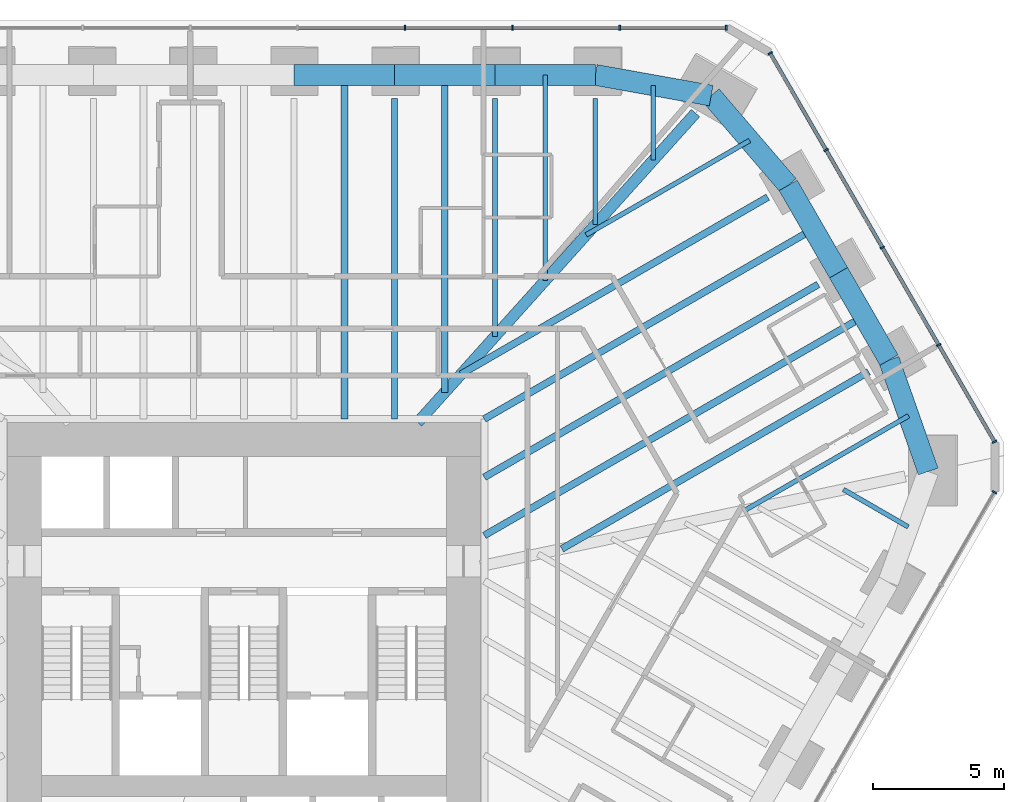
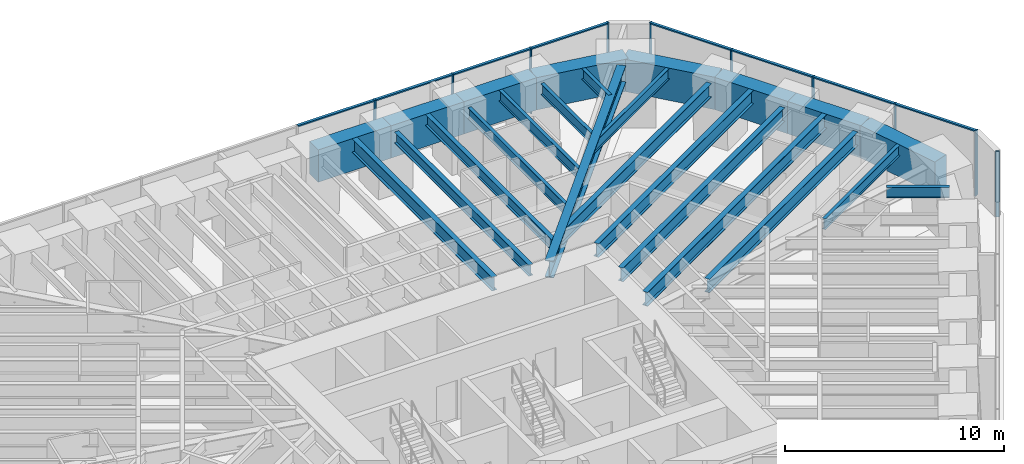
# One storey, part 9 of 18: 24 beams, 18 members, 3 elements without a shape of their own.
"""IFC4 building model written with IfcOpenShell, lengths in metres."""

from ifc_helpers import new_model, si_unit, direction, frame, origin, origin_2d, place, context, subcontext, project, spatial, rectangle, i_section, extrude, material, material_profile, profile_set, type_object, element, aggregate, save


model = new_model("IFC4")

# Units and contexts
model_context = context("Model", 3, precision=1e-05, world=origin(), true_north=direction((0.0, 1.0)))
body_context = subcontext(model_context, "Body", "Model", "MODEL_VIEW")
ifc_project = project(units=[si_unit("LENGTHUNIT", "METRE"), si_unit("AREAUNIT", "SQUARE_METRE"), si_unit("VOLUMEUNIT", "CUBIC_METRE"), si_unit("PLANEANGLEUNIT", "RADIAN"), si_unit("MASSUNIT", "GRAM", prefix="KILO")], contexts=[model_context])

# Site, building, storey
site_placement = place(None, origin())
site = spatial("IfcSite", under=ifc_project, at=site_placement, CompositionType="ELEMENT")
building_placement = place(site_placement, origin())
building = spatial("IfcBuilding", under=site, at=building_placement, Name="Sandreach Pilgrim Tower", CompositionType="ELEMENT")
storey_placement = place(building_placement, frame((0.0, 0.0, 157.60009765625)))
storey = spatial("IfcBuildingStorey", under=building, at=storey_placement, Name="L39", CompositionType="ELEMENT", Elevation=157.60009765625)

# Curtain wall, members
ifc_material_1 = material(Name="Aluminium framed curtain wall", Category="aluminium")
curtain_wall_type = type_object("IfcCurtainWallType", Name="Hotel tower curtain wall", PredefinedType="NOTDEFINED", material=ifc_material_1)
curtain_wall_1_placement = place(storey_placement, origin())
curtain_wall_1 = element("IfcCurtainWall", 1, at=curtain_wall_1_placement, inside=storey, type_object=curtain_wall_type, Name="CW-2 L39 N", PredefinedType="NOTDEFINED")
ifc_material_2 = material(Name="Aluminium extrusion", Category="aluminium")
ifc_material_profile_1 = material_profile(ifc_material_2, rectangle(XDim=0.06494140625, YDim=0.179931640625, at=origin_2d()), Name="CW-2M 65X180")
ifc_profile_set_1 = profile_set([ifc_material_profile_1], Name="Aluminium extrusion")
member_type_1 = type_object("IfcMemberType", Name="CW-2 mullion", PredefinedType="MULLION", material=ifc_profile_set_1)
member_1_placement = place(storey_placement, frame((6.160400390625, 22.493896484375, 0.0), z_axis=(0.0, 0.0, 1.0), x_axis=(1.0, 0.0, 0.0)))
member_1 = element("IfcMember", 2, at=member_1_placement, type_object=member_type_1, Name="CW-2 mullion 7", PredefinedType="MULLION", context=body_context, shape_type="SweptSolid", body=[
    extrude(rectangle(XDim=0.06494140625, YDim=0.179931640625, at=origin_2d()), origin(), (0.0, 0.0, 1.0), 3.639892578125),
])
member_2_placement = place(storey_placement, frame((10.267333984375, 22.493896484375, 0.0), z_axis=(0.0, 0.0, 1.0), x_axis=(1.0, 0.0, 0.0)))
member_2 = element("IfcMember", 3, at=member_2_placement, type_object=member_type_1, Name="CW-2 mullion 8", PredefinedType="MULLION", context=body_context, shape_type="SweptSolid", body=[
    extrude(rectangle(XDim=0.06494140625, YDim=0.179931640625, at=origin_2d()), origin(), (0.0, 0.0, 1.0), 3.639892578125),
])
member_3_placement = place(storey_placement, frame((14.37451171875, 22.493896484375, 0.0), z_axis=(0.0, 0.0, 1.0), x_axis=(1.0, 0.0, 0.0)))
member_3 = element("IfcMember", 4, at=member_3_placement, type_object=member_type_1, Name="CW-2 mullion 9", PredefinedType="MULLION", context=body_context, shape_type="SweptSolid", body=[
    extrude(rectangle(XDim=0.06494140625, YDim=0.179931640625, at=origin_2d()), origin(), (0.0, 0.0, 1.0), 3.639892578125),
])
member_4_placement = place(storey_placement, frame((18.448974609375, 22.493896484375, 0.0), z_axis=(0.0, 0.0, 1.0), x_axis=(1.0, 0.0, 0.0)))
member_4 = element("IfcMember", 5, at=member_4_placement, type_object=member_type_1, Name="CW-2 mullion 10", PredefinedType="MULLION", context=body_context, shape_type="SweptSolid", body=[
    extrude(rectangle(XDim=0.06494140625, YDim=0.179931640625, at=origin_2d()), origin(), (0.0, 0.0, 1.0), 3.639892578125),
])

curtain_wall_2_placement = place(storey_placement, origin())
curtain_wall_2 = element("IfcCurtainWall", 6, at=curtain_wall_2_placement, inside=storey, type_object=curtain_wall_type, Name="CW-2 L39 NE", PredefinedType="NOTDEFINED")
member_5_placement = place(storey_placement, frame((20.125732421875, 21.525634765625, 0.0), z_axis=(0.0, 0.0, 1.0), x_axis=(0.5, -0.866025403784, 0.0)))
member_5 = element("IfcMember", 7, at=member_5_placement, type_object=member_type_1, Name="CW-2 mullion 1", PredefinedType="MULLION", context=body_context, shape_type="SweptSolid", body=[
    extrude(rectangle(XDim=0.06494140625, YDim=0.179931640625, at=origin_2d()), origin(), (0.0, 0.0, 1.0), 3.639892578125),
])
member_6_placement = place(storey_placement, frame((22.262451171875, 17.824951171875, 0.0), z_axis=(0.0, 0.0, 1.0), x_axis=(0.5, -0.866025403784, 0.0)))
member_6 = element("IfcMember", 8, at=member_6_placement, type_object=member_type_1, Name="CW-2 mullion 2", PredefinedType="MULLION", context=body_context, shape_type="SweptSolid", body=[
    extrude(rectangle(XDim=0.06494140625, YDim=0.179931640625, at=origin_2d()), origin(), (0.0, 0.0, 1.0), 3.639892578125),
])
member_7_placement = place(storey_placement, frame((24.415283203125, 14.09619140625, 0.0), z_axis=(0.0, 0.0, 1.0), x_axis=(0.5, -0.866025403784, 0.0)))
member_7 = element("IfcMember", 9, at=member_7_placement, type_object=member_type_1, Name="CW-2 mullion 3", PredefinedType="MULLION", context=body_context, shape_type="SweptSolid", body=[
    extrude(rectangle(XDim=0.06494140625, YDim=0.179931640625, at=origin_2d()), origin(), (0.0, 0.0, 1.0), 3.639892578125),
])
member_8_placement = place(storey_placement, frame((26.568115234375, 10.3671875, 0.0), z_axis=(0.0, 0.0, 1.0), x_axis=(0.5, -0.866025403784, 0.0)))
member_8 = element("IfcMember", 10, at=member_8_placement, type_object=member_type_1, Name="CW-2 mullion 4", PredefinedType="MULLION", context=body_context, shape_type="SweptSolid", body=[
    extrude(rectangle(XDim=0.06494140625, YDim=0.179931640625, at=origin_2d()), origin(), (0.0, 0.0, 1.0), 3.639892578125),
])
member_9_placement = place(storey_placement, frame((28.70458984375, 6.66650390625, 0.0), z_axis=(0.0, 0.0, 1.0), x_axis=(0.5, -0.866025403784, 0.0)))
member_9 = element("IfcMember", 11, at=member_9_placement, type_object=member_type_1, Name="CW-2 mullion 5", PredefinedType="MULLION", context=body_context, shape_type="SweptSolid", body=[
    extrude(rectangle(XDim=0.06494140625, YDim=0.179931640625, at=origin_2d()), origin(), (0.0, 0.0, 1.0), 3.639892578125),
])

# Curtain wall, member
curtain_wall_3_placement = place(storey_placement, origin())
curtain_wall_3 = element("IfcCurtainWall", 12, at=curtain_wall_3_placement, inside=storey, type_object=curtain_wall_type, Name="CW-2 L39 SE", PredefinedType="NOTDEFINED")
member_10_placement = place(storey_placement, frame((28.70458984375, 4.730224609375, 0.0), z_axis=(0.0, 0.0, 1.0), x_axis=(-0.5, -0.866025403784, 0.0)))
member_10 = element("IfcMember", 13, at=member_10_placement, type_object=member_type_1, Name="CW-2 mullion 1", PredefinedType="MULLION", context=body_context, shape_type="SweptSolid", body=[
    extrude(rectangle(XDim=0.06494140625, YDim=0.179931640625, at=origin_2d()), origin(), (0.0, 0.0, 1.0), 3.639892578125),
])
aggregate(curtain_wall_3, [member_10])

# Member
ifc_material_3 = material(Name="Aluminium extrusion", Category="aluminium")
ifc_material_profile_2 = material_profile(ifc_material_3, rectangle(XDim=0.139892578125, YDim=0.070068359375, at=origin_2d()), Name="CW-2T 140X70")
ifc_profile_set_2 = profile_set([ifc_material_profile_2], Name="Aluminium extrusion")
member_type_2 = type_object("IfcMemberType", Name="CW-2 transom", PredefinedType="USERDEFINED", material=ifc_profile_set_2)
member_11_placement = place(storey_placement, frame((2.0859375, 22.493896484375, 3.60498046875), z_axis=(1.0, 0.0, 0.0), x_axis=(0.0, 1.0, 0.0)))
member_11 = element("IfcMember", 14, at=member_11_placement, type_object=member_type_2, Name="CW-2 head transom 6", ObjectType="TRANSOM", PredefinedType="USERDEFINED", context=body_context, shape_type="SweptSolid", body=[
    extrude(rectangle(XDim=0.139892578125, YDim=0.070068359375, at=origin_2d()), origin(), (0.0, 0.0, 1.0), 4.0419921875),
])

member_12_placement = place(storey_placement, frame((6.19287109375, 22.493896484375, 3.60498046875), z_axis=(1.0, 0.0, 0.0), x_axis=(0.0, 1.0, 0.0)))
member_12 = element("IfcMember", 15, at=member_12_placement, type_object=member_type_2, Name="CW-2 head transom 7", ObjectType="TRANSOM", PredefinedType="USERDEFINED", context=body_context, shape_type="SweptSolid", body=[
    extrude(rectangle(XDim=0.139892578125, YDim=0.070068359375, at=origin_2d()), origin(), (0.0, 0.0, 1.0), 4.0419921875),
])

member_13_placement = place(storey_placement, frame((10.300048828125, 22.493896484375, 3.60498046875), z_axis=(1.0, 0.0, 0.0), x_axis=(0.0, 1.0, 0.0)))
member_13 = element("IfcMember", 16, at=member_13_placement, type_object=member_type_2, Name="CW-2 head transom 8", ObjectType="TRANSOM", PredefinedType="USERDEFINED", context=body_context, shape_type="SweptSolid", body=[
    extrude(rectangle(XDim=0.139892578125, YDim=0.070068359375, at=origin_2d()), origin(), (0.0, 0.0, 1.0), 4.041748046875),
])

member_14_placement = place(storey_placement, frame((14.406982421875, 22.493896484375, 3.60498046875), z_axis=(1.0, 0.0, 0.0), x_axis=(0.0, 1.0, 0.0)))
member_14 = element("IfcMember", 17, at=member_14_placement, type_object=member_type_2, Name="CW-2 head transom 9", ObjectType="TRANSOM", PredefinedType="USERDEFINED", context=body_context, shape_type="SweptSolid", body=[
    extrude(rectangle(XDim=0.139892578125, YDim=0.070068359375, at=origin_2d()), origin(), (0.0, 0.0, 1.0), 4.00927734375),
])

aggregate(curtain_wall_1, [member_1, member_2, member_3, member_4, member_11, member_12, member_13, member_14])

member_15_placement = place(storey_placement, frame((20.14208984375, 21.49755859375, 3.60498046875), z_axis=(0.49997020258, -0.86604260665, 0.0), x_axis=(0.86604260665, 0.49997020258, 0.0)))
member_15 = element("IfcMember", 18, at=member_15_placement, type_object=member_type_2, Name="CW-2 head transom 1", ObjectType="TRANSOM", PredefinedType="USERDEFINED", context=body_context, shape_type="SweptSolid", body=[
    extrude(rectangle(XDim=0.139892578125, YDim=0.070068359375, at=origin_2d()), origin(), (0.0, 0.0, 1.0), 4.208251953125),
])

member_16_placement = place(storey_placement, frame((22.278564453125, 17.796875, 3.60498046875), z_axis=(0.499996541496, -0.866027400544, 0.0), x_axis=(0.866027400544, 0.499996541496, 0.0)))
member_16 = element("IfcMember", 19, at=member_16_placement, type_object=member_type_2, Name="CW-2 head transom 2", ObjectType="TRANSOM", PredefinedType="USERDEFINED", context=body_context, shape_type="SweptSolid", body=[
    extrude(rectangle(XDim=0.139892578125, YDim=0.070068359375, at=origin_2d()), origin(), (0.0, 0.0, 1.0), 4.24072265625),
])

member_17_placement = place(storey_placement, frame((24.431396484375, 14.06787109375, 3.60498046875), z_axis=(0.500021471012, -0.866013007135, 0.0), x_axis=(0.866013007135, 0.500021471012, 0.0)))
member_17 = element("IfcMember", 20, at=member_17_placement, type_object=member_type_2, Name="CW-2 head transom 3", ObjectType="TRANSOM", PredefinedType="USERDEFINED", context=body_context, shape_type="SweptSolid", body=[
    extrude(rectangle(XDim=0.139892578125, YDim=0.070068359375, at=origin_2d()), origin(), (0.0, 0.0, 1.0), 4.240478515625),
])

member_18_placement = place(storey_placement, frame((26.584228515625, 10.339111328125, 3.60498046875), z_axis=(0.500038835258, -0.866002981077, 0.0), x_axis=(0.866002981077, 0.500038835258, 0.0)))
member_18 = element("IfcMember", 21, at=member_18_placement, type_object=member_type_2, Name="CW-2 head transom 4", ObjectType="TRANSOM", PredefinedType="USERDEFINED", context=body_context, shape_type="SweptSolid", body=[
    extrude(rectangle(XDim=0.139892578125, YDim=0.070068359375, at=origin_2d()), origin(), (0.0, 0.0, 1.0), 4.208251953125),
])

aggregate(curtain_wall_2, [member_5, member_6, member_7, member_8, member_9, member_15, member_16, member_17, member_18])

# Beams
ifc_material_4 = material(Name="Steel ASTM A992 Grade 50", Category="steel")
ifc_material_profile_3 = material_profile(ifc_material_4, i_section(OverallWidth=0.424072265625, OverallDepth=0.947509765625, WebThickness=0.02392578125, FlangeThickness=0.042724609375, at=origin_2d()), Name="W36X302")
ifc_profile_set_3 = profile_set([ifc_material_profile_3], Name="Steel ASTM A992 Grade 50")
beam_type_1 = type_object("IfcBeamType", Name="Corner girder W36X302", PredefinedType="BEAM", material=ifc_profile_set_3)
beam_1_placement = place(storey_placement, frame((17.2685546875, 19.2314453125, 3.166259765625), z_axis=(-0.668109241094, -0.744063197561, 0.0), x_axis=(0.744063197561, -0.668109241094, 0.0)))
element("IfcBeam", 22, at=beam_1_placement, inside=storey, type_object=beam_type_1, Name="BM L39 CG09", PredefinedType="BEAM", context=body_context, shape_type="SweptSolid", body=[
    extrude(i_section(OverallWidth=0.424072265625, OverallDepth=0.947509765625, WebThickness=0.02392578125, FlangeThickness=0.042724609375, at=origin_2d()), origin(), (0.0, 0.0, 1.0), 15.9013671875),
])
ifc_material_5 = material(Name="Steel ASTM A992 Grade 50", Category="steel")
ifc_material_profile_4 = material_profile(ifc_material_5, i_section(OverallWidth=0.1787109375, OverallDepth=0.60205078125, WebThickness=0.010986328125, FlangeThickness=0.014892578125, at=origin_2d()), Name="W24X62")
ifc_profile_set_4 = profile_set([ifc_material_profile_4], Name="Steel ASTM A992 Grade 50")
beam_type_2 = type_object("IfcBeamType", Name="Floor beam W24X62", PredefinedType="BEAM", material=ifc_profile_set_4)
beam_2_placement = place(storey_placement, frame((9.599853515625, 19.794677734375, 3.3388671875), z_axis=(0.0, -1.0, 0.0), x_axis=(1.0, 0.0, 0.0)))
element("IfcBeam", 23, at=beam_2_placement, inside=storey, type_object=beam_type_2, Name="BM L39 F07", PredefinedType="BEAM", context=body_context, shape_type="SweptSolid", body=[
    extrude(i_section(OverallWidth=0.1787109375, OverallDepth=0.60205078125, WebThickness=0.010986328125, FlangeThickness=0.014892578125, at=origin_2d()), origin(), (0.0, 0.0, 1.0), 9.103759765625),
])
beam_3_placement = place(storey_placement, frame((13.439697265625, 19.794677734375, 3.3388671875), z_axis=(0.0, -1.0, 0.0), x_axis=(1.0, 0.0, 0.0)))
element("IfcBeam", 24, at=beam_3_placement, inside=storey, type_object=beam_type_2, Name="BM L39 F08", PredefinedType="BEAM", context=body_context, shape_type="SweptSolid", body=[
    extrude(i_section(OverallWidth=0.1787109375, OverallDepth=0.60205078125, WebThickness=0.010986328125, FlangeThickness=0.014892578125, at=origin_2d()), origin(), (0.0, 0.0, 1.0), 4.827392578125),
])
beam_4_placement = place(storey_placement, frame((11.519775390625, 20.694580078125, 3.3388671875), z_axis=(0.0, -1.0, 0.0), x_axis=(1.0, 0.0, 0.0)))
element("IfcBeam", 25, at=beam_4_placement, inside=storey, type_object=beam_type_2, Name="BM L39 FM07", PredefinedType="BEAM", context=body_context, shape_type="SweptSolid", body=[
    extrude(i_section(OverallWidth=0.1787109375, OverallDepth=0.60205078125, WebThickness=0.010986328125, FlangeThickness=0.014892578125, at=origin_2d()), origin(), (0.0, 0.0, 1.0), 7.865478515625),
])
beam_5_placement = place(storey_placement, frame((15.65478515625, 20.2978515625, 3.3388671875), z_axis=(0.0, -1.0, 0.0), x_axis=(1.0, 0.0, 0.0)))
element("IfcBeam", 26, at=beam_5_placement, inside=storey, type_object=beam_type_2, Name="BM L39 FM08", PredefinedType="BEAM", context=body_context, shape_type="SweptSolid", body=[
    extrude(i_section(OverallWidth=0.1787109375, OverallDepth=0.60205078125, WebThickness=0.010986328125, FlangeThickness=0.014892578125, at=origin_2d()), origin(), (0.0, 0.0, 1.0), 2.86376953125),
])
beam_6_placement = place(storey_placement, frame((19.341064453125, 18.184814453125, 3.3388671875), z_axis=(-0.86602740249, -0.499996538125, 0.0), x_axis=(0.499996538125, -0.86602740249, 0.0)))
element("IfcBeam", 27, at=beam_6_placement, inside=storey, type_object=beam_type_2, Name="BM L39 FM09", PredefinedType="BEAM", context=body_context, shape_type="SweptSolid", body=[
    extrude(i_section(OverallWidth=0.1787109375, OverallDepth=0.60205078125, WebThickness=0.010986328125, FlangeThickness=0.014892578125, at=origin_2d()), origin(), (0.0, 0.0, 1.0), 7.22216796875),
])
beam_7_placement = place(storey_placement, frame((25.419189453125, 7.657470703125, 3.3388671875), z_axis=(-0.866021216079, -0.500007253249, 0.0), x_axis=(0.500007253249, -0.866021216079, 0.0)))
element("IfcBeam", 28, at=beam_7_placement, inside=storey, type_object=beam_type_2, Name="BM L39 FM12", PredefinedType="BEAM", context=body_context, shape_type="SweptSolid", body=[
    extrude(i_section(OverallWidth=0.1787109375, OverallDepth=0.60205078125, WebThickness=0.010986328125, FlangeThickness=0.014892578125, at=origin_2d()), origin(), (0.0, 0.0, 1.0), 7.22265625),
])
beam_8_placement = place(storey_placement, frame((25.40576171875, 3.408447265625, 3.3388671875), z_axis=(-0.866015215982, 0.500017645376, 0.0), x_axis=(-0.500017645376, -0.866015215982, 0.0)))
element("IfcBeam", 29, at=beam_8_placement, inside=storey, type_object=beam_type_2, Name="BM L39 FM13", PredefinedType="BEAM", context=body_context, shape_type="SweptSolid", body=[
    extrude(i_section(OverallWidth=0.1787109375, OverallDepth=0.60205078125, WebThickness=0.010986328125, FlangeThickness=0.014892578125, at=origin_2d()), origin(), (0.0, 0.0, 1.0), 2.86376953125),
])
ifc_material_6 = material(Name="Steel ASTM A992 Grade 50", Category="steel")
ifc_material_profile_5 = material_profile(ifc_material_6, i_section(OverallWidth=0.23046875, OverallDepth=0.6171875, WebThickness=0.01318359375, FlangeThickness=0.022216796875, at=origin_2d()), Name="W24X94")
ifc_profile_set_5 = profile_set([ifc_material_profile_5], Name="Steel ASTM A992 Grade 50")
beam_type_3 = type_object("IfcBeamType", Name="Floor beam W24X94", PredefinedType="BEAM", material=ifc_profile_set_5)
beam_9_placement = place(storey_placement, frame((5.759765625, 19.794677734375, 3.331298828125), z_axis=(0.0, -1.0, 0.0), x_axis=(1.0, 0.0, 0.0)))
element("IfcBeam", 30, at=beam_9_placement, inside=storey, type_object=beam_type_3, Name="BM L39 F06", PredefinedType="BEAM", context=body_context, shape_type="SweptSolid", body=[
    extrude(i_section(OverallWidth=0.23046875, OverallDepth=0.6171875, WebThickness=0.01318359375, FlangeThickness=0.022216796875, at=origin_2d()), origin(), (0.0, 0.0, 1.0), 12.251220703125),
])
beam_10_placement = place(storey_placement, frame((7.679931640625, 20.694580078125, 3.331298828125), z_axis=(0.0, -1.0, 0.0), x_axis=(1.0, 0.0, 0.0)))
element("IfcBeam", 31, at=beam_10_placement, inside=storey, type_object=beam_type_3, Name="BM L39 FM06", PredefinedType="BEAM", context=body_context, shape_type="SweptSolid", body=[
    extrude(i_section(OverallWidth=0.23046875, OverallDepth=0.6171875, WebThickness=0.01318359375, FlangeThickness=0.022216796875, at=origin_2d()), origin(), (0.0, 0.0, 1.0), 12.141845703125),
])
ifc_material_7 = material(Name="Steel ASTM A992 Grade 50", Category="steel")
ifc_material_profile_6 = material_profile(ifc_material_7, i_section(OverallWidth=0.2666015625, OverallDepth=0.761962890625, WebThickness=0.014404296875, FlangeThickness=0.021484375, at=origin_2d()), Name="W30X116")
ifc_profile_set_6 = profile_set([ifc_material_profile_6], Name="Steel ASTM A992 Grade 50")
beam_type_4 = type_object("IfcBeamType", Name="Floor beam W30X116", PredefinedType="BEAM", material=ifc_profile_set_6)
beam_11_placement = place(storey_placement, frame((20.03271484375, 16.018798828125, 3.2587890625), z_axis=(-0.866020494674, -0.500008502732, 0.0), x_axis=(0.500008502732, -0.866020494674, 0.0)))
element("IfcBeam", 32, at=beam_11_placement, inside=storey, type_object=beam_type_4, Name="BM L39 F10", PredefinedType="BEAM", context=body_context, shape_type="SweptSolid", body=[
    extrude(i_section(OverallWidth=0.2666015625, OverallDepth=0.761962890625, WebThickness=0.014404296875, FlangeThickness=0.021484375, at=origin_2d()), origin(), (0.0, 0.0, 1.0), 13.544677734375),
])
beam_12_placement = place(storey_placement, frame((21.9609375, 12.67919921875, 3.2587890625), z_axis=(-0.866026190251, -0.499998637797, 0.0), x_axis=(0.499998637797, -0.866026190251, 0.0)))
element("IfcBeam", 33, at=beam_12_placement, inside=storey, type_object=beam_type_4, Name="BM L39 F11", PredefinedType="BEAM", context=body_context, shape_type="SweptSolid", body=[
    extrude(i_section(OverallWidth=0.2666015625, OverallDepth=0.761962890625, WebThickness=0.014404296875, FlangeThickness=0.021484375, at=origin_2d()), origin(), (0.0, 0.0, 1.0), 14.74267578125),
])
beam_13_placement = place(storey_placement, frame((23.88916015625, 9.339599609375, 3.2587890625), z_axis=(-0.866025000927, -0.500000697769, 0.0), x_axis=(0.500000697769, -0.866025000927, 0.0)))
element("IfcBeam", 34, at=beam_13_placement, inside=storey, type_object=beam_type_4, Name="BM L39 F12", PredefinedType="BEAM", context=body_context, shape_type="SweptSolid", body=[
    extrude(i_section(OverallWidth=0.2666015625, OverallDepth=0.761962890625, WebThickness=0.014404296875, FlangeThickness=0.021484375, at=origin_2d()), origin(), (0.0, 0.0, 1.0), 13.544921875),
])
beam_14_placement = place(storey_placement, frame((3.83984375, 20.694580078125, 3.2587890625), z_axis=(0.0, -1.0, 0.0), x_axis=(1.0, 0.0, 0.0)))
element("IfcBeam", 35, at=beam_14_placement, inside=storey, type_object=beam_type_4, Name="BM L39 FM05", PredefinedType="BEAM", context=body_context, shape_type="SweptSolid", body=[
    extrude(i_section(OverallWidth=0.2666015625, OverallDepth=0.761962890625, WebThickness=0.014404296875, FlangeThickness=0.021484375, at=origin_2d()), origin(), (0.0, 0.0, 1.0), 13.151123046875),
])
beam_15_placement = place(storey_placement, frame((21.7763671875, 14.799072265625, 3.2587890625), z_axis=(-0.866022732608, -0.500004626585, 0.0), x_axis=(0.500004626585, -0.866022732608, 0.0)))
element("IfcBeam", 36, at=beam_15_placement, inside=storey, type_object=beam_type_4, Name="BM L39 FM10", PredefinedType="BEAM", context=body_context, shape_type="SweptSolid", body=[
    extrude(i_section(OverallWidth=0.2666015625, OverallDepth=0.761962890625, WebThickness=0.014404296875, FlangeThickness=0.021484375, at=origin_2d()), origin(), (0.0, 0.0, 1.0), 14.529541015625),
])
ifc_material_8 = material(Name="Steel ASTM A992 Grade 50", Category="steel")
ifc_material_profile_7 = material_profile(ifc_material_8, i_section(OverallWidth=0.2666015625, OverallDepth=0.77978515625, WebThickness=0.0166015625, FlangeThickness=0.030029296875, at=origin_2d()), Name="W30X148")
ifc_profile_set_7 = profile_set([ifc_material_profile_7], Name="Steel ASTM A992 Grade 50")
beam_type_5 = type_object("IfcBeamType", Name="Floor beam W30X148", PredefinedType="BEAM", material=ifc_profile_set_7)
beam_16_placement = place(storey_placement, frame((23.704345703125, 11.459228515625, 3.25), z_axis=(-0.866025201573, -0.50000035024, 0.0), x_axis=(0.50000035024, -0.866025201573, 0.0)))
element("IfcBeam", 37, at=beam_16_placement, inside=storey, type_object=beam_type_5, Name="BM L39 FM11", PredefinedType="BEAM", context=body_context, shape_type="SweptSolid", body=[
    extrude(i_section(OverallWidth=0.2666015625, OverallDepth=0.77978515625, WebThickness=0.0166015625, FlangeThickness=0.030029296875, at=origin_2d()), origin(), (0.0, 0.0, 1.0), 16.755859375),
])
ifc_material_9 = material(Name="Concrete 10000 psi", Category="concrete")
ifc_material_profile_8 = material_profile(ifc_material_9, rectangle(XDim=0.800048828125, YDim=1.800048828125, at=origin_2d()), Name="RC800X1800")
ifc_profile_set_8 = profile_set([ifc_material_profile_8], Name="Concrete 10000 psi")
beam_type_6 = type_object("IfcBeamType", Name="Spandrel beam RC800X1800", PredefinedType="SPANDREL", material=ifc_profile_set_8)
beam_17_placement = place(storey_placement, frame((1.919921875, 20.694580078125, 2.739990234375), z_axis=(1.0, 0.0, 0.0), x_axis=(0.0, 1.0, 0.0)))
element("IfcBeam", 38, at=beam_17_placement, inside=storey, type_object=beam_type_6, Name="BM L39 SP05", PredefinedType="SPANDREL", context=body_context, shape_type="SweptSolid", body=[
    extrude(rectangle(XDim=0.800048828125, YDim=1.800048828125, at=origin_2d()), origin(), (0.0, 0.0, 1.0), 3.83984375),
])
beam_18_placement = place(storey_placement, frame((5.759765625, 20.694580078125, 2.739990234375), z_axis=(1.0, 0.0, 0.0), x_axis=(0.0, 1.0, 0.0)))
element("IfcBeam", 39, at=beam_18_placement, inside=storey, type_object=beam_type_6, Name="BM L39 SP06", PredefinedType="SPANDREL", context=body_context, shape_type="SweptSolid", body=[
    extrude(rectangle(XDim=0.800048828125, YDim=1.800048828125, at=origin_2d()), origin(), (0.0, 0.0, 1.0), 3.840087890625),
])
beam_19_placement = place(storey_placement, frame((9.599853515625, 20.694580078125, 2.739990234375), z_axis=(1.0, 0.0, 0.0), x_axis=(0.0, 1.0, 0.0)))
element("IfcBeam", 40, at=beam_19_placement, inside=storey, type_object=beam_type_6, Name="BM L39 SP07", PredefinedType="SPANDREL", context=body_context, shape_type="SweptSolid", body=[
    extrude(rectangle(XDim=0.800048828125, YDim=1.800048828125, at=origin_2d()), origin(), (0.0, 0.0, 1.0), 3.83984375),
])
beam_20_placement = place(storey_placement, frame((13.439697265625, 20.694580078125, 2.739990234375), z_axis=(0.98433692425, -0.176297531346, 0.0), x_axis=(0.176297531346, 0.98433692425, 0.0)))
element("IfcBeam", 41, at=beam_20_placement, inside=storey, type_object=beam_type_6, Name="BM L39 SP08", PredefinedType="SPANDREL", context=body_context, shape_type="SweptSolid", body=[
    extrude(rectangle(XDim=0.800048828125, YDim=1.800048828125, at=origin_2d()), origin(), (0.0, 0.0, 1.0), 4.500732421875),
])
beam_21_placement = place(storey_placement, frame((17.869873046875, 19.901123046875, 2.739990234375), z_axis=(0.65083584483, -0.759218481785, 0.0), x_axis=(0.759218481785, 0.65083584483, 0.0)))
element("IfcBeam", 42, at=beam_21_placement, inside=storey, type_object=beam_type_6, Name="BM L39 SP09", PredefinedType="SPANDREL", context=body_context, shape_type="SweptSolid", body=[
    extrude(rectangle(XDim=0.800048828125, YDim=1.800048828125, at=origin_2d()), origin(), (0.0, 0.0, 1.0), 4.52099609375),
])
for number, where, z_axis, x_axis, name in (
    (43, (20.812255859375, 16.46875, 2.739990234375), (0.500020211545, -0.866013734329, 0.0), (0.866013734329, 0.500020211545, 0.0), "BM L39 SP10"),
    (44, (22.740478515625, 13.129150390625, 2.739990234375), (0.499972728276, -0.866041148549, 0.0), (0.866041148549, 0.499972728276, 0.0), "BM L39 SP11"),
):
    element("IfcBeam", number, at=place(storey_placement, frame(where, z_axis=z_axis, x_axis=x_axis)), inside=storey, type_object=beam_type_6, Name=name, PredefinedType="SPANDREL", context=body_context, shape_type="SweptSolid", body=[
        extrude(rectangle(XDim=0.800048828125, YDim=1.800048828125, at=origin_2d()), origin(), (0.0, 0.0, 1.0), 3.856201171875),
    ])
beam_22_placement = place(storey_placement, frame((24.66845703125, 9.78955078125, 2.739990234375), z_axis=(0.33207707108, -0.943252256219, 0.0), x_axis=(0.943252256219, 0.33207707108, 0.0)))
element("IfcBeam", 45, at=beam_22_placement, inside=storey, type_object=beam_type_6, Name="BM L39 SP12", PredefinedType="SPANDREL", context=body_context, shape_type="SweptSolid", body=[
    extrude(rectangle(XDim=0.800048828125, YDim=1.800048828125, at=origin_2d()), origin(), (0.0, 0.0, 1.0), 4.520751953125),
])

save(model, "model.ifc")
